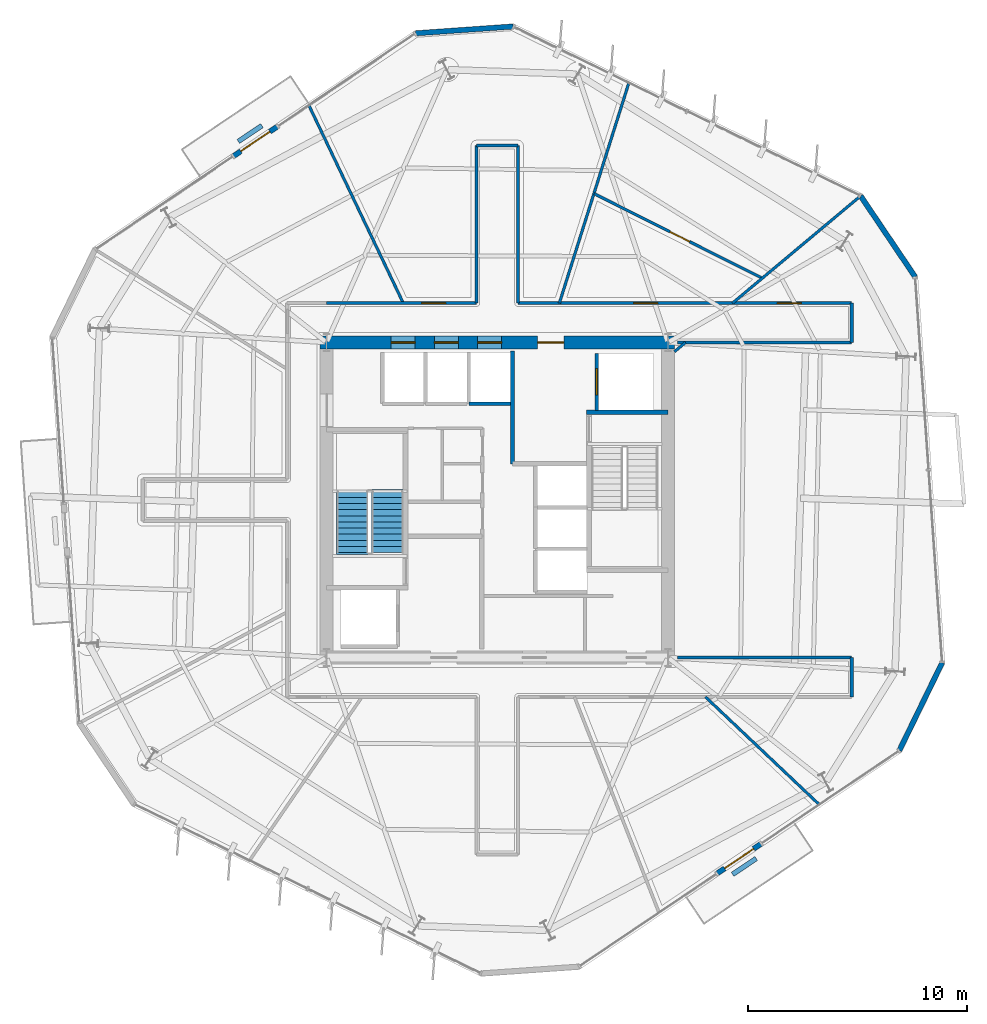
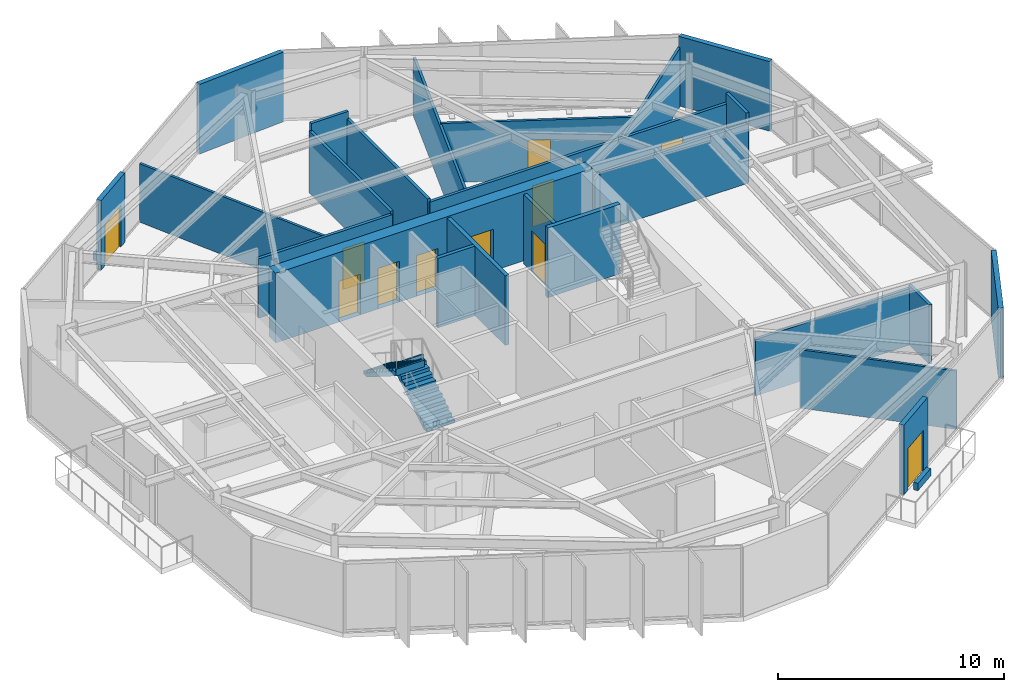
# One storey, part 8 of 14: 27 walls, 11 doors, 2 stair flights, 11 openings, 1 element without a shape of its own.
"""IFC4 building model written with IfcOpenShell, lengths in metres."""

from ifc_helpers import new_model, si_unit, direction, frame, frame_2d, origin, place, context, subcontext, project, spatial, polyline, rectangle, outline, extrude, material, layer, layer_set, type_object, element, fill, aggregate, save


model = new_model("IFC4")

# Units and contexts
model_context = context("Model", 3, precision=1e-05, world=origin(), true_north=direction((0.0, 1.0)))
body_context = subcontext(model_context, "Body", "Model", "MODEL_VIEW")
ifc_project = project(units=[si_unit("LENGTHUNIT", "METRE"), si_unit("AREAUNIT", "SQUARE_METRE"), si_unit("VOLUMEUNIT", "CUBIC_METRE"), si_unit("PLANEANGLEUNIT", "RADIAN"), si_unit("MASSUNIT", "GRAM", prefix="KILO")], contexts=[model_context])

# Site, building, storey
site_placement = place(None, origin())
site = spatial("IfcSite", under=ifc_project, at=site_placement, CompositionType="ELEMENT")
building_placement = place(site_placement, origin())
building = spatial("IfcBuilding", under=site, at=building_placement, Name="Kranzbogen Civic Tower", CompositionType="ELEMENT")
storey_placement = place(building_placement, frame((0.0, 0.0, 158.39990234375)))
storey = spatial("IfcBuildingStorey", under=building, at=storey_placement, Name="L38", CompositionType="ELEMENT", Elevation=158.39990234375)

# Wall, opening, door
ifc_material_1 = material(Name="Double-Stud Acoustic Gypsum Partition")
ifc_layer_1 = layer(ifc_material_1, 0.14990234375, Name="Double-Stud Acoustic Gypsum Partition")
ifc_layer_set_1 = layer_set([ifc_layer_1], Name="Double-Stud Acoustic Gypsum Partition")
wall_type_1 = type_object("IfcWallType", Name="Acoustic Corridor and Clinical Partition 150 mm", PredefinedType="PARTITIONING", material=ifc_layer_set_1)
wall_1_placement = place(storey_placement, frame((17.199951171875, 34.0, 0.0), z_axis=(0.0, 0.0, 1.0), x_axis=(1.0, 0.0, 0.0)))
wall_1 = element("IfcWall", 1, at=wall_1_placement, inside=storey, type_object=wall_type_1, Name="L38 corridor partition 10", PredefinedType="PARTITIONING", context=body_context, shape_type="SweptSolid", body=[
    extrude(rectangle(XDim=6.85009765625, YDim=0.14990234375, at=frame_2d((3.425048828125, 0.0))), origin(), (0.0, 0.0, 1.0), 3.210205078125),
])
opening_1_placement = place(wall_1_placement, frame((4.339111328125, 0.0, 0.0)))
opening_1 = element("IfcOpeningElement", 2, at=opening_1_placement, cuts=wall_1, Name="Opening D-COR60", PredefinedType="OPENING", context=body_context, shape_type="SweptSolid", body=[
    extrude(rectangle(XDim=1.10009765625, YDim=2.199951171875, at=frame_2d((0.550048828125, 1.10009765625))), frame((0.0, 0.0849609375, 0.0), z_axis=(0.0, -1.0, 0.0), x_axis=(1.0, 0.0, 0.0)), (0.0, 0.0, 1.0), 0.169921875),
])
ifc_material_2 = material(Name="Oak Timber and Fire Core", Category="wood")
door_type_1 = type_object("IfcDoorType", Name="Corridor Acoustic Fire Door 1100x2200", OperationType="NOTDEFINED", PredefinedType="DOOR", material=ifc_material_2)
door_1_placement = place(opening_1_placement, origin())
door_1 = element("IfcDoor", 3, at=door_1_placement, inside=storey, type_object=door_type_1, Name="L38 Civic Reference Library door", OperationType="SINGLE_SWING_LEFT", OverallHeight=2.199951171875, OverallWidth=1.10009765625, PredefinedType="DOOR", context=body_context, shape_type="SweptSolid", body=[
    extrude(rectangle(XDim=1.10009765625, YDim=2.199951171875, at=frame_2d((0.550048828125, 1.10009765625))), frame((0.0, 0.02490234375, 0.0), z_axis=(0.0, -1.0, 0.0), x_axis=(1.0, 0.0, 0.0)), (0.0, 0.0, 1.0), 0.050048828125),
])
fill(opening_1, door_1)

# Walls
wall_2_placement = place(storey_placement, frame((24.050048828125, 34.0, 0.0), z_axis=(0.0, 0.0, 1.0), x_axis=(0.0, 1.0, 0.0)))
element("IfcWall", 4, at=wall_2_placement, inside=storey, type_object=wall_type_1, Name="L38 corridor partition 11", PredefinedType="PARTITIONING", context=body_context, shape_type="SweptSolid", body=[
    extrude(rectangle(XDim=7.199951171875, YDim=0.14990234375, at=frame_2d((3.60009765625, 0.0))), origin(), (0.0, 0.0, 1.0), 3.360107421875),
])
wall_3_placement = place(storey_placement, frame((24.050048828125, 41.199951171875, 0.0), z_axis=(0.0, 0.0, 1.0), x_axis=(1.0, 0.0, 0.0)))
element("IfcWall", 5, at=wall_3_placement, inside=storey, type_object=wall_type_1, Name="L38 corridor partition 12", PredefinedType="PARTITIONING", context=body_context, shape_type="SweptSolid", body=[
    extrude(rectangle(XDim=1.89990234375, YDim=0.14990234375, at=frame_2d((0.949951171875, 0.0))), origin(), (0.0, 0.0, 1.0), 3.760009765625),
])
wall_4_placement = place(storey_placement, frame((25.949951171875, 41.199951171875, 0.0), z_axis=(0.0, 0.0, 1.0), x_axis=(0.0, -1.0, 0.0)))
element("IfcWall", 6, at=wall_4_placement, inside=storey, type_object=wall_type_1, Name="L38 corridor partition 13", PredefinedType="PARTITIONING", context=body_context, shape_type="SweptSolid", body=[
    extrude(rectangle(XDim=7.199951171875, YDim=0.14990234375, at=frame_2d((3.60009765625, 0.0))), origin(), (0.0, 0.0, 1.0), 3.360107421875),
])

# Wall, openings, doors
wall_5_placement = place(storey_placement, frame((25.949951171875, 34.0, 0.0), z_axis=(0.0, 0.0, 1.0), x_axis=(1.0, 0.0, 0.0)))
wall_5 = element("IfcWall", 7, at=wall_5_placement, inside=storey, type_object=wall_type_1, Name="L38 corridor partition 14", PredefinedType="PARTITIONING", context=body_context, shape_type="SweptSolid", body=[
    extrude(rectangle(XDim=15.25, YDim=0.14990234375, at=frame_2d((7.625, 0.0))), origin(), (0.0, 0.0, 1.0), 3.210205078125),
])
opening_2_placement = place(wall_5_placement, frame((11.85107421875, 0.0, 0.0)))
opening_2 = element("IfcOpeningElement", 8, at=opening_2_placement, cuts=wall_5, Name="Opening D-COR60", PredefinedType="OPENING", context=body_context, shape_type="SweptSolid", body=[
    extrude(rectangle(XDim=1.10009765625, YDim=2.199951171875, at=frame_2d((0.550048828125, 1.10009765625))), frame((0.0, 0.0849609375, 0.0), z_axis=(0.0, -1.0, 0.0), x_axis=(1.0, 0.0, 0.0)), (0.0, 0.0, 1.0), 0.169921875),
])
opening_3_placement = place(wall_5_placement, frame((5.283935546875, 0.0, 0.0)))
opening_3 = element("IfcOpeningElement", 9, at=opening_3_placement, cuts=wall_5, Name="Opening D-COR60", PredefinedType="OPENING", context=body_context, shape_type="SweptSolid", body=[
    extrude(rectangle(XDim=1.10009765625, YDim=2.199951171875, at=frame_2d((0.550048828125, 1.10009765625))), frame((0.0, 0.0849609375, 0.0), z_axis=(0.0, -1.0, 0.0), x_axis=(1.0, 0.0, 0.0)), (0.0, 0.0, 1.0), 0.169921875),
])
door_2_placement = place(opening_2_placement, origin())
door_2 = element("IfcDoor", 10, at=door_2_placement, inside=storey, type_object=door_type_1, Name="L38 Citizen Services Kiosk door", OperationType="SINGLE_SWING_RIGHT", OverallHeight=2.199951171875, OverallWidth=1.10009765625, PredefinedType="DOOR", context=body_context, shape_type="SweptSolid", body=[
    extrude(rectangle(XDim=1.10009765625, YDim=2.199951171875, at=frame_2d((0.550048828125, 1.10009765625))), frame((0.0, 0.02490234375, 0.0), z_axis=(0.0, -1.0, 0.0), x_axis=(1.0, 0.0, 0.0)), (0.0, 0.0, 1.0), 0.050048828125),
])
fill(opening_2, door_2)
door_3_placement = place(opening_3_placement, origin())
door_3 = element("IfcDoor", 11, at=door_3_placement, inside=storey, type_object=door_type_1, Name="L38 Municipal Exhibition Showroom door", OperationType="SINGLE_SWING_LEFT", OverallHeight=2.199951171875, OverallWidth=1.10009765625, PredefinedType="DOOR", context=body_context, shape_type="SweptSolid", body=[
    extrude(rectangle(XDim=1.10009765625, YDim=2.199951171875, at=frame_2d((0.550048828125, 1.10009765625))), frame((0.0, 0.02490234375, 0.0), z_axis=(0.0, -1.0, 0.0), x_axis=(1.0, 0.0, 0.0)), (0.0, 0.0, 1.0), 0.050048828125),
])
fill(opening_3, door_3)

# Walls
wall_6_placement = place(storey_placement, frame((41.199951171875, 34.0, 0.0), z_axis=(0.0, 0.0, 1.0), x_axis=(0.0, -1.0, 0.0)))
element("IfcWall", 12, at=wall_6_placement, inside=storey, type_object=wall_type_1, Name="L38 corridor partition 15", PredefinedType="PARTITIONING", context=body_context, shape_type="SweptSolid", body=[
    extrude(rectangle(XDim=1.800048828125, YDim=0.14990234375, at=frame_2d((0.89990234375, 0.0))), origin(), (0.0, 0.0, 1.0), 3.760009765625),
])
wall_7_placement = place(storey_placement, frame((41.199951171875, 32.199951171875, 0.0), z_axis=(0.0, 0.0, 1.0), x_axis=(-1.0, 0.0, 0.0)))
element("IfcWall", 13, at=wall_7_placement, inside=storey, type_object=wall_type_1, Name="L38 corridor partition 16", PredefinedType="PARTITIONING", context=body_context, shape_type="SweptSolid", body=[
    extrude(rectangle(XDim=7.952880859375, YDim=0.14990234375, at=frame_2d((3.9765625, 0.0))), origin(), (0.0, 0.0, 1.0), 3.210205078125),
])
wall_8_placement = place(storey_placement, frame((33.2470703125, 17.800048828125, 0.0), z_axis=(0.0, 0.0, 1.0), x_axis=(1.0, 0.0, 0.0)))
element("IfcWall", 14, at=wall_8_placement, inside=storey, type_object=wall_type_1, Name="L38 corridor partition 17", PredefinedType="PARTITIONING", context=body_context, shape_type="SweptSolid", body=[
    extrude(rectangle(XDim=7.952880859375, YDim=0.14990234375, at=frame_2d((3.9765625, 0.0))), origin(), (0.0, 0.0, 1.0), 3.050048828125),
])
wall_9_placement = place(storey_placement, frame((41.199951171875, 17.800048828125, 0.0), z_axis=(0.0, 0.0, 1.0), x_axis=(0.0, -1.0, 0.0)))
element("IfcWall", 15, at=wall_9_placement, inside=storey, type_object=wall_type_1, Name="L38 corridor partition 18", PredefinedType="PARTITIONING", context=body_context, shape_type="SweptSolid", body=[
    extrude(rectangle(XDim=1.800048828125, YDim=0.14990234375, at=frame_2d((0.89990234375, 0.0))), origin(), (0.0, 0.0, 1.0), 3.210205078125),
])
ifc_material_3 = material(Name="Insulated Metal-Stud Gypsum Partition")
ifc_layer_2 = layer(ifc_material_3, 0.125, Name="Insulated Metal-Stud Gypsum Partition")
ifc_layer_set_2 = layer_set([ifc_layer_2], Name="Insulated Metal-Stud Gypsum Partition")
wall_type_2 = type_object("IfcWallType", Name="Acoustic Inter-Room Partition 125 mm", PredefinedType="PARTITIONING", material=ifc_layer_set_2)
wall_10_placement = place(storey_placement, frame((33.10009765625, 31.779052734375, 0.0), z_axis=(0.0, 0.0, 1.0), x_axis=(0.76748927859, 0.641061781148, 0.0)))
element("IfcWall", 16, at=wall_10_placement, inside=storey, type_object=wall_type_2, Name="L38 radial room partition 01", PredefinedType="PARTITIONING", context=body_context, shape_type="SweptSolid", body=[
    extrude(rectangle(XDim=0.656494140625, YDim=0.125, at=frame_2d((0.328125, 0.0))), origin(), (0.0, 0.0, 1.0), 3.210205078125),
])
wall_11_placement = place(storey_placement, frame((35.7548828125, 34.0, 0.0), z_axis=(0.0, 0.0, 1.0), x_axis=(0.766871091206, 0.641801160386, 0.0)))
element("IfcWall", 17, at=wall_11_placement, inside=storey, type_object=wall_type_2, Name="L38 radial room partition 02", PredefinedType="PARTITIONING", context=body_context, shape_type="SweptSolid", body=[
    extrude(rectangle(XDim=7.613037109375, YDim=0.125, at=frame_2d((3.806640625, 0.0))), origin(), (0.0, 0.0, 1.0), 3.16015625),
])
wall_12_placement = place(storey_placement, frame((27.840087890625, 34.0, 0.0), z_axis=(0.0, 0.0, 1.0), x_axis=(0.300858550785, 0.953668775005, 0.0)))
element("IfcWall", 18, at=wall_12_placement, inside=storey, type_object=wall_type_2, Name="L38 radial room partition 03", PredefinedType="PARTITIONING", context=body_context, shape_type="SweptSolid", body=[
    extrude(rectangle(XDim=10.5361328125, YDim=0.125, at=frame_2d((5.26806640625, 0.0))), origin(), (0.0, 0.0, 1.0), 3.16015625),
])
wall_13_placement = place(storey_placement, frame((20.705078125, 34.0, 0.0), z_axis=(0.0, 0.0, 1.0), x_axis=(-0.430753986645, 0.902469391719, 0.0)))
element("IfcWall", 19, at=wall_13_placement, inside=storey, type_object=wall_type_2, Name="L38 radial room partition 04", PredefinedType="PARTITIONING", context=body_context, shape_type="SweptSolid", body=[
    extrude(rectangle(XDim=10.001220703125, YDim=0.125, at=frame_2d((5.00048828125, 0.0))), origin(), (0.0, 0.0, 1.0), 3.16015625),
])
wall_14_placement = place(storey_placement, frame((34.514892578125, 16.0, 0.0), z_axis=(0.0, 0.0, 1.0), x_axis=(0.726513595086, -0.687152090992, 0.0)))
element("IfcWall", 20, at=wall_14_placement, inside=storey, type_object=wall_type_2, Name="L38 radial room partition 09", PredefinedType="PARTITIONING", context=body_context, shape_type="SweptSolid", body=[
    extrude(rectangle(XDim=7.145263671875, YDim=0.125, at=frame_2d((3.57275390625, 0.0))), origin(), (0.0, 0.0, 1.0), 3.16015625),
])

# Wall, opening, door
wall_15_placement = place(storey_placement, frame((37.10009765625, 35.14501953125, 0.0), z_axis=(0.0, 0.0, 1.0), x_axis=(-0.893377857621, 0.449306135628, 0.0)))
wall_15 = element("IfcWall", 21, at=wall_15_placement, inside=storey, type_object=wall_type_2, Name="L38 suite chord partition 01", PredefinedType="PARTITIONING", context=body_context, shape_type="SweptSolid", body=[
    extrude(rectangle(XDim=8.58203125, YDim=0.125, at=frame_2d((4.291015625, 0.0))), origin(), (0.0, 0.0, 1.0), 3.210205078125),
])
opening_4_placement = place(wall_15_placement, frame((3.701904296875, 0.0, 0.0)))
opening_4 = element("IfcOpeningElement", 22, at=opening_4_placement, cuts=wall_15, Name="Opening D-OFC10", PredefinedType="OPENING", context=body_context, shape_type="SweptSolid", body=[
    extrude(rectangle(XDim=1.0, YDim=2.14990234375, at=frame_2d((0.5, 1.074951171875))), frame((0.0, 0.072509765625, 0.0), z_axis=(0.0, -1.0, 0.0), x_axis=(1.0, 0.0, 0.0)), (0.0, 0.0, 1.0), 0.14501953125),
])
ifc_material_4 = material(Name="Oak Timber Veneer", Category="wood")
door_type_2 = type_object("IfcDoorType", Name="Standard Office Acoustic Door 1000x2150", OperationType="NOTDEFINED", PredefinedType="DOOR", material=ifc_material_4)
door_4_placement = place(opening_4_placement, origin())
door_4 = element("IfcDoor", 23, at=door_4_placement, inside=storey, type_object=door_type_2, Name="L38 Licensing Information Kiosk door", OperationType="SINGLE_SWING_RIGHT", OverallHeight=2.14990234375, OverallWidth=1.0, PredefinedType="DOOR", context=body_context, shape_type="SweptSolid", body=[
    extrude(rectangle(XDim=1.0, YDim=2.14990234375, at=frame_2d((0.5, 1.074951171875))), frame((0.0, 0.02490234375, 0.0), z_axis=(0.0, -1.0, 0.0), x_axis=(1.0, 0.0, 0.0)), (0.0, 0.0, 1.0), 0.050048828125),
])
fill(opening_4, door_4)

# Walls
ifc_material_5 = material(Name="Architectural Precast Terracotta Concrete C40/50", Category="masonry")
ifc_layer_3 = layer(ifc_material_5, 0.219970703125, Name="Architectural Precast Terracotta Concrete C40/50")
ifc_layer_set_3 = layer_set([ifc_layer_3], Name="Architectural Precast Terracotta Concrete C40/50")
wall_type_3 = type_object("IfcWallType", Name="Architectural Tree Planter Kerb Wall 220 mm", PredefinedType="USERDEFINED", material=ifc_layer_set_3)
for number, where, z_axis, x_axis, name in (
    (24, (35.759033203125, 7.886962890625, 0.0), (0.0, 0.0, 1.0), (0.82938185828, 0.558682139643, 0.0), "L38 landscaped tree balcony planter L38-TB1"),
    (25, (14.240966796875, 42.113037109375, 0.0), (0.0, 0.0, 1.0), (-0.82938185828, -0.558682139643, 0.0), "L38 landscaped tree balcony planter L38-TB2"),
):
    element("IfcWall", number, at=place(storey_placement, frame(where, z_axis=z_axis, x_axis=x_axis)), inside=storey, type_object=wall_type_3, Name=name, ObjectType="PLANTER_WALL", PredefinedType="USERDEFINED", context=body_context, shape_type="SweptSolid", body=[
        extrude(rectangle(XDim=1.299560546875, YDim=0.219970703125, at=frame_2d((0.64990234375, 0.0))), origin(), (0.0, 0.0, 1.0), 0.400146484375),
    ])

# Wall, openings, doors
ifc_material_6 = material(Name="Concrete C55/67", Category="concrete")
ifc_layer_4 = layer(ifc_material_6, 0.60009765625, Name="Concrete C55/67")
ifc_layer_set_4 = layer_set([ifc_layer_4], Name="Concrete C55/67")
wall_type_4 = type_object("IfcWallType", Name="Central Core Shear Wall 600 mm", PredefinedType="SHEAR", material=ifc_layer_set_4)
wall_16_placement = place(storey_placement, frame((33.10009765625, 32.199951171875, 0.0), z_axis=(0.0, 0.0, 1.0), x_axis=(-1.0, 0.0, 0.0)))
wall_16 = element("IfcWall", 26, at=wall_16_placement, inside=storey, type_object=wall_type_4, Name="L38 central core North shear wall", PredefinedType="SHEAR", context=body_context, shape_type="SweptSolid", body=[
    extrude(rectangle(XDim=16.2001953125, YDim=0.60009765625, at=frame_2d((8.10009765625, 0.0))), origin(), (0.0, 0.0, 1.0), 3.760009765625),
])
opening_5_placement = place(wall_16_placement, frame((5.050048828125, 0.0, 0.0)))
opening_5 = element("IfcOpeningElement", 27, at=opening_5_placement, cuts=wall_16, Name="Opening D-EX120", PredefinedType="OPENING", context=body_context, shape_type="SweptSolid", body=[
    extrude(rectangle(XDim=1.199951171875, YDim=2.25, at=frame_2d((0.60009765625, 1.125))), frame((0.0, 0.31005859375, 0.0), z_axis=(0.0, -1.0, 0.0), x_axis=(1.0, 0.0, 0.0)), (0.0, 0.0, 1.0), 0.6201171875),
])
opening_6_placement = place(wall_16_placement, frame((11.85009765625, 0.0, 0.0)))
opening_6 = element("IfcOpeningElement", 28, at=opening_6_placement, cuts=wall_16, Name="Opening LD-MP-01", PredefinedType="OPENING", context=body_context, shape_type="SweptSolid", body=[
    extrude(rectangle(XDim=1.10009765625, YDim=2.199951171875, at=frame_2d((0.550048828125, 1.10009765625))), frame((0.0, 0.31005859375, 0.0), z_axis=(0.0, -1.0, 0.0), x_axis=(1.0, 0.0, 0.0)), (0.0, 0.0, 1.0), 0.6201171875),
])
opening_7_placement = place(wall_16_placement, frame((9.875, 0.0, 0.0)))
opening_7 = element("IfcOpeningElement", 29, at=opening_7_placement, cuts=wall_16, Name="Opening LD-MP-02", PredefinedType="OPENING", context=body_context, shape_type="SweptSolid", body=[
    extrude(rectangle(XDim=1.10009765625, YDim=2.199951171875, at=frame_2d((0.550048828125, 1.10009765625))), frame((0.0, 0.31005859375, 0.0), z_axis=(0.0, -1.0, 0.0), x_axis=(1.0, 0.0, 0.0)), (0.0, 0.0, 1.0), 0.6201171875),
])
opening_8_placement = place(wall_16_placement, frame((7.89990234375, 0.0, 0.0)))
opening_8 = element("IfcOpeningElement", 30, at=opening_8_placement, cuts=wall_16, Name="Opening LD-MP-03", PredefinedType="OPENING", context=body_context, shape_type="SweptSolid", body=[
    extrude(rectangle(XDim=1.10009765625, YDim=2.199951171875, at=frame_2d((0.550048828125, 1.10009765625))), frame((0.0, 0.31005859375, 0.0), z_axis=(0.0, -1.0, 0.0), x_axis=(1.0, 0.0, 0.0)), (0.0, 0.0, 1.0), 0.6201171875),
])
ifc_material_7 = material(Name="Steel S355", Category="steel")
door_type_3 = type_object("IfcDoorType", Name="Exit Passageway Fire Door 1200x2250", OperationType="NOTDEFINED", PredefinedType="DOOR", material=ifc_material_7)
door_5_placement = place(opening_5_placement, origin())
door_5 = element("IfcDoor", 31, at=door_5_placement, inside=storey, type_object=door_type_3, Name="L38 East firefighting lobby corridor door", OperationType="SINGLE_SWING_RIGHT", OverallHeight=2.25, OverallWidth=1.199951171875, PredefinedType="DOOR", context=body_context, shape_type="SweptSolid", body=[
    extrude(rectangle(XDim=1.199951171875, YDim=2.25, at=frame_2d((0.60009765625, 1.125))), frame((0.0, 0.02490234375, 0.0), z_axis=(0.0, -1.0, 0.0), x_axis=(1.0, 0.0, 0.0)), (0.0, 0.0, 1.0), 0.050048828125),
])
fill(opening_5, door_5)
ifc_material_8 = material(Name="Pale Anodised Aluminium", Category="aluminium")
door_type_4 = type_object("IfcDoorType", Name="Passenger Lift Sliding Landing Door 1100x2200", OperationType="DOUBLE_DOOR_SLIDING", PredefinedType="DOOR", material=ifc_material_8)
door_6_placement = place(opening_6_placement, origin())
door_6 = element("IfcDoor", 32, at=door_6_placement, inside=storey, type_object=door_type_4, Name="L38 lift MP-01 sliding landing door", OperationType="DOUBLE_DOOR_SLIDING", OverallHeight=2.199951171875, OverallWidth=1.10009765625, PredefinedType="DOOR", context=body_context, shape_type="SweptSolid", body=[
    extrude(rectangle(XDim=1.10009765625, YDim=2.199951171875, at=frame_2d((0.550048828125, 1.10009765625))), frame((0.0, 0.02490234375, 0.0), z_axis=(0.0, -1.0, 0.0), x_axis=(1.0, 0.0, 0.0)), (0.0, 0.0, 1.0), 0.050048828125),
])
fill(opening_6, door_6)
door_7_placement = place(opening_7_placement, origin())
door_7 = element("IfcDoor", 33, at=door_7_placement, inside=storey, type_object=door_type_4, Name="L38 lift MP-02 sliding landing door", OperationType="DOUBLE_DOOR_SLIDING", OverallHeight=2.199951171875, OverallWidth=1.10009765625, PredefinedType="DOOR", context=body_context, shape_type="SweptSolid", body=[
    extrude(rectangle(XDim=1.10009765625, YDim=2.199951171875, at=frame_2d((0.550048828125, 1.10009765625))), frame((0.0, 0.02490234375, 0.0), z_axis=(0.0, -1.0, 0.0), x_axis=(1.0, 0.0, 0.0)), (0.0, 0.0, 1.0), 0.050048828125),
])
fill(opening_7, door_7)
door_8_placement = place(opening_8_placement, origin())
door_8 = element("IfcDoor", 34, at=door_8_placement, inside=storey, type_object=door_type_4, Name="L38 lift MP-03 sliding landing door", OperationType="DOUBLE_DOOR_SLIDING", OverallHeight=2.199951171875, OverallWidth=1.10009765625, PredefinedType="DOOR", context=body_context, shape_type="SweptSolid", body=[
    extrude(rectangle(XDim=1.10009765625, YDim=2.199951171875, at=frame_2d((0.550048828125, 1.10009765625))), frame((0.0, 0.02490234375, 0.0), z_axis=(0.0, -1.0, 0.0), x_axis=(1.0, 0.0, 0.0)), (0.0, 0.0, 1.0), 0.050048828125),
])
fill(opening_8, door_8)

# Walls
ifc_material_9 = material(Name="Concrete C45/55", Category="concrete")
ifc_layer_5 = layer(ifc_material_9, 0.219970703125, Name="Concrete C45/55")
ifc_layer_set_5 = layer_set([ifc_layer_5], Name="Concrete C45/55")
wall_type_5 = type_object("IfcWallType", Name="Core Internal Stair Structural Wall 220 mm", PredefinedType="SOLIDWALL", material=ifc_layer_set_5)
wall_17_placement = place(storey_placement, frame((29.080078125, 29.010009765625, 0.0), z_axis=(0.0, 0.0, 1.0), x_axis=(1.0, 0.0, 0.0)))
element("IfcWall", 35, at=wall_17_placement, inside=storey, type_object=wall_type_5, Name="L38 ST-T2 North structural stair wall", PredefinedType="SOLIDWALL", context=body_context, shape_type="SweptSolid", body=[
    extrude(rectangle(XDim=3.719970703125, YDim=0.219970703125, at=frame_2d((1.85986328125, 0.0))), origin(), (0.0, 0.0, 1.0), 3.760009765625),
])
ifc_material_10 = material(Name="Gypsum Fireboard and Concrete Block", Category="concrete")
ifc_layer_6 = layer(ifc_material_10, 0.199951171875, Name="Gypsum Fireboard and Concrete Block")
ifc_layer_set_6 = layer_set([ifc_layer_6], Name="Gypsum Fireboard and Concrete Block")
wall_type_6 = type_object("IfcWallType", Name="Fire-Rated Exit Passageway and Stair Wall 200 mm", PredefinedType="PARTITIONING", material=ifc_layer_set_6)
wall_18_placement = place(storey_placement, frame((25.699951171875, 26.64990234375, 0.0), z_axis=(0.0, 0.0, 1.0), x_axis=(0.0, 1.0, 0.0)))
element("IfcWall", 36, at=wall_18_placement, inside=storey, type_object=wall_type_6, Name="L38 East firefighting lobby West wall", PredefinedType="PARTITIONING", context=body_context, shape_type="SweptSolid", body=[
    extrude(rectangle(XDim=5.150146484375, YDim=0.199951171875, at=frame_2d((2.5751953125, 0.0))), origin(), (0.0, 0.0, 1.0), 3.760009765625),
])
ifc_material_11 = material(Name="Gypsum Fireboard Shaftliner")
ifc_layer_7 = layer(ifc_material_11, 0.175048828125, Name="Gypsum Fireboard Shaftliner")
ifc_layer_set_7 = layer_set([ifc_layer_7], Name="Gypsum Fireboard Shaftliner")
wall_type_7 = type_object("IfcWallType", Name="Fire-Rated Lift and Service Shaft Wall 175 mm", PredefinedType="PARTITIONING", material=ifc_layer_set_7)
wall_19_placement = place(storey_placement, frame((23.699951171875, 29.39990234375, 0.0), z_axis=(0.0, 0.0, 1.0), x_axis=(1.0, 0.0, 0.0)))
element("IfcWall", 37, at=wall_19_placement, inside=storey, type_object=wall_type_7, Name="L38 lift MP-03 rear wall", PredefinedType="PARTITIONING", context=body_context, shape_type="SweptSolid", body=[
    extrude(rectangle(XDim=1.900146484375, YDim=0.175048828125, at=frame_2d((0.9501953125, 0.0))), origin(), (0.0, 0.0, 1.0), 3.760009765625),
])

# Wall, opening, door
wall_20_placement = place(storey_placement, frame((29.550048828125, 29.10009765625, 0.0), z_axis=(0.0, 0.0, 1.0), x_axis=(0.0, 1.0, 0.0)))
wall_20 = element("IfcWall", 38, at=wall_20_placement, inside=storey, type_object=wall_type_7, Name="L38 lift FF-02 landing wall", PredefinedType="PARTITIONING", context=body_context, shape_type="SweptSolid", body=[
    extrude(rectangle(XDim=2.599853515625, YDim=0.175048828125, at=frame_2d((1.2998046875, 0.0))), origin(), (0.0, 0.0, 1.0), 3.760009765625),
])
opening_9_placement = place(wall_20_placement, frame((0.699951171875, 0.0, 0.0)))
opening_9 = element("IfcOpeningElement", 39, at=opening_9_placement, cuts=wall_20, Name="Opening LD-FF-02", PredefinedType="OPENING", context=body_context, shape_type="SweptSolid", body=[
    extrude(rectangle(XDim=1.199951171875, YDim=2.199951171875, at=frame_2d((0.60009765625, 1.10009765625))), frame((0.0, 0.09765625, 0.0), z_axis=(0.0, -1.0, 0.0), x_axis=(1.0, 0.0, 0.0)), (0.0, 0.0, 1.0), 0.195068359375),
])
door_type_5 = type_object("IfcDoorType", Name="Firefighting and Stretcher Lift Sliding Landing Door 1200x2200", OperationType="DOUBLE_DOOR_SLIDING", PredefinedType="DOOR", material=ifc_material_8)
door_9_placement = place(opening_9_placement, origin())
door_9 = element("IfcDoor", 40, at=door_9_placement, inside=storey, type_object=door_type_5, Name="L38 lift FF-02 sliding landing door", OperationType="DOUBLE_DOOR_SLIDING", OverallHeight=2.199951171875, OverallWidth=1.199951171875, PredefinedType="DOOR", context=body_context, shape_type="SweptSolid", body=[
    extrude(rectangle(XDim=1.199951171875, YDim=2.199951171875, at=frame_2d((0.60009765625, 1.10009765625))), frame((0.0, 0.02490234375, 0.0), z_axis=(0.0, -1.0, 0.0), x_axis=(1.0, 0.0, 0.0)), (0.0, 0.0, 1.0), 0.050048828125),
])
fill(opening_9, door_9)

# Wall
ifc_layer_8 = layer(ifc_material_8, 0.239990234375, Name="Pale Anodised Aluminium")
ifc_layer_set_8 = layer_set([ifc_layer_8], Name="Pale Anodised Aluminium")
wall_type_8 = type_object("IfcWallType", Name="Insulated Aluminium Facade Portal Wall 240 mm", PredefinedType="STANDARD", material=ifc_layer_set_8)
wall_21_placement = place(storey_placement, frame((25.72705078125, 46.64404296875, 0.0), z_axis=(0.0, 0.0, 1.0), x_axis=(-0.997561857217, -0.069787828636, 0.0)))
element("IfcWall", 41, at=wall_21_placement, inside=storey, type_object=wall_type_8, Name="L38 chamfered corner facade spandrel 1", PredefinedType="STANDARD", context=body_context, shape_type="SweptSolid", body=[
    extrude(rectangle(XDim=4.470947265625, YDim=0.239990234375, at=frame_2d((2.2353515625, 0.0))), origin(), (0.0, 0.0, 1.0), 3.760009765625),
])

# Wall, opening, door
wall_22_placement = place(storey_placement, frame((14.93798828125, 42.06298828125, 0.0), z_axis=(0.0, 0.0, 1.0), x_axis=(-0.828953641959, -0.559317315558, 0.0)))
wall_22 = element("IfcWall", 42, at=wall_22_placement, inside=storey, type_object=wall_type_8, Name="L38 exterior entrance portal wall 1", PredefinedType="STANDARD", context=body_context, shape_type="SweptSolid", body=[
    extrude(rectangle(XDim=2.3994140625, YDim=0.239990234375, at=frame_2d((1.19970703125, 0.0))), origin(), (0.0, 0.0, 1.0), 3.760009765625),
])
opening_10_placement = place(wall_22_placement, frame((0.39990234375, 0.0, 0.0)))
opening_10 = element("IfcOpeningElement", 43, at=opening_10_placement, cuts=wall_22, Name="Opening D-TER", PredefinedType="OPENING", context=body_context, shape_type="SweptSolid", body=[
    extrude(rectangle(XDim=1.60009765625, YDim=2.25, at=frame_2d((0.800048828125, 1.125))), frame((0.0, 0.1298828125, 0.0), z_axis=(0.0, -1.0, 0.0), x_axis=(1.0, 0.0, 0.0)), (0.0, 0.0, 1.0), 0.260009765625),
])
ifc_material_12 = material(Name="Anodised Bronze and Triple Glass", Category="glass")
door_type_6 = type_object("IfcDoorType", Name="Glazed Terrace and Balcony Double Door 1600x2250", OperationType="DOUBLE_DOOR_SINGLE_SWING", PredefinedType="DOOR", material=ifc_material_12)
door_10_placement = place(opening_10_placement, frame((1.60009765625, 0.0, 0.0), z_axis=(0.0, 0.0, 1.0), x_axis=(-1.0, 0.0, 0.0)))
door_10 = element("IfcDoor", 44, at=door_10_placement, inside=storey, type_object=door_type_6, Name="L38 tree balcony access door L38-TB2", OperationType="DOUBLE_DOOR_SINGLE_SWING", OverallHeight=2.25, OverallWidth=1.60009765625, PredefinedType="DOOR", context=body_context, shape_type="SweptSolid", body=[
    extrude(rectangle(XDim=1.60009765625, YDim=2.25, at=frame_2d((0.800048828125, 1.125))), frame((0.0, 0.02490234375, 0.0), z_axis=(0.0, -1.0, 0.0), x_axis=(1.0, 0.0, 0.0)), (0.0, 0.0, 1.0), 0.050048828125),
])
fill(opening_10, door_10)

wall_23_placement = place(storey_placement, frame((35.06201171875, 7.93701171875, 0.0), z_axis=(0.0, 0.0, 1.0), x_axis=(0.828953641959, 0.559317315558, 0.0)))
wall_23 = element("IfcWall", 45, at=wall_23_placement, inside=storey, type_object=wall_type_8, Name="L38 exterior entrance portal wall 1", PredefinedType="STANDARD", context=body_context, shape_type="SweptSolid", body=[
    extrude(rectangle(XDim=2.3994140625, YDim=0.239990234375, at=frame_2d((1.19970703125, 0.0))), origin(), (0.0, 0.0, 1.0), 3.760009765625),
])
opening_11_placement = place(wall_23_placement, frame((0.39990234375, 0.0, 0.0)))
opening_11 = element("IfcOpeningElement", 46, at=opening_11_placement, cuts=wall_23, Name="Opening D-TER", PredefinedType="OPENING", context=body_context, shape_type="SweptSolid", body=[
    extrude(rectangle(XDim=1.60009765625, YDim=2.25, at=frame_2d((0.800048828125, 1.125))), frame((0.0, 0.1298828125, 0.0), z_axis=(0.0, -1.0, 0.0), x_axis=(1.0, 0.0, 0.0)), (0.0, 0.0, 1.0), 0.260009765625),
])
door_11_placement = place(opening_11_placement, frame((1.60009765625, 0.0, 0.0), z_axis=(0.0, 0.0, 1.0), x_axis=(-1.0, 0.0, 0.0)))
door_11 = element("IfcDoor", 47, at=door_11_placement, inside=storey, type_object=door_type_6, Name="L38 tree balcony access door L38-TB1", OperationType="DOUBLE_DOOR_SINGLE_SWING", OverallHeight=2.25, OverallWidth=1.60009765625, PredefinedType="DOOR", context=body_context, shape_type="SweptSolid", body=[
    extrude(rectangle(XDim=1.60009765625, YDim=2.25, at=frame_2d((0.800048828125, 1.125))), frame((0.0, 0.02490234375, 0.0), z_axis=(0.0, -1.0, 0.0), x_axis=(1.0, 0.0, 0.0)), (0.0, 0.0, 1.0), 0.050048828125),
])
fill(opening_11, door_11)

# Walls
wall_24_placement = place(storey_placement, frame((43.3798828125, 13.548095703125, 0.0), z_axis=(0.0, 0.0, 1.0), x_axis=(0.438566687479, 0.898698648399, 0.0)))
element("IfcWall", 48, at=wall_24_placement, inside=storey, type_object=wall_type_8, Name="L38 chamfered corner facade spandrel 5", PredefinedType="STANDARD", context=body_context, shape_type="SweptSolid", body=[
    extrude(rectangle(XDim=4.4716796875, YDim=0.239990234375, at=frame_2d((2.23583984375, 0.0))), origin(), (0.0, 0.0, 1.0), 3.760009765625),
])
wall_25_placement = place(storey_placement, frame((44.10693359375, 35.19189453125, 0.0), z_axis=(0.0, 0.0, 1.0), x_axis=(-0.559078804203, 0.82911452206, 0.0)))
element("IfcWall", 49, at=wall_25_placement, inside=storey, type_object=wall_type_8, Name="L38 chamfered corner facade spandrel 6", PredefinedType="STANDARD", context=body_context, shape_type="SweptSolid", body=[
    extrude(rectangle(XDim=4.469970703125, YDim=0.239990234375, at=frame_2d((2.23486328125, 0.0))), origin(), (0.0, 0.0, 1.0), 3.760009765625),
])

# Stair, stair flights
ifc_material_13 = material(Name="Precast concrete C40/50", Category="concrete")
stair_type = type_object("IfcStairType", Name="Tower Core Pressurized Dogleg Stair 1450", PredefinedType="HALF_TURN_STAIR", material=ifc_material_13)
stair_placement = place(storey_placement, origin())
stair = element("IfcStair", 50, at=stair_placement, inside=storey, type_object=stair_type, Name="L38 Tower Core Pressurized Stair 1", PredefinedType="HALF_TURN_STAIR")
stair_flight_type = type_object("IfcStairFlightType", Name="Precast Concrete Stair Flight R180", PredefinedType="STRAIGHT", material=ifc_material_13)
stair_flight_1_placement = place(storey_placement, frame((19.97509765625, 22.60009765625, 0.0), z_axis=(0.0, 0.0, 1.0), x_axis=(0.0, 1.0, 0.0)))
stair_flight_1 = element("IfcStairFlight", 51, at=stair_flight_1_placement, type_object=stair_flight_type, Name="ST-T1 flight 1", NumberOfRisers=11, NumberOfTreads=10, PredefinedType="STRAIGHT", RiserHeight=0.181818182, TreadLength=0.28, context=body_context, shape_type="SweptSolid", body=[
    extrude(outline(polyline([(0.0, 0.0), (0.0, 0.181884765625), (0.280029296875, 0.181884765625), (0.280029296875, 0.363525390625), (0.56005859375, 0.363525390625), (0.56005859375, 0.54541015625), (0.840087890625, 0.54541015625), (0.840087890625, 0.727294921875), (1.1201171875, 0.727294921875), (1.1201171875, 0.9091796875), (1.39990234375, 0.9091796875), (1.39990234375, 1.0908203125), (1.679931640625, 1.0908203125), (1.679931640625, 1.272705078125), (1.9599609375, 1.272705078125), (1.9599609375, 1.45458984375), (2.239990234375, 1.45458984375), (2.239990234375, 1.636474609375), (2.52001953125, 1.636474609375), (2.52001953125, 1.818115234375), (2.800048828125, 1.818115234375), (2.800048828125, 2.0), (2.880126953125, 2.0), (2.880126953125, 1.639404296875), (0.275146484375, 0.0), (0.0, 0.0)])), frame((0.0, 0.72509765625, 0.0), z_axis=(0.0, -1.0, 0.0), x_axis=(1.0, 0.0, 0.0)), (0.0, 0.0, 1.0), 1.449951171875),
])
stair_flight_2_placement = place(storey_placement, frame((18.375, 25.39990234375, 2.0), z_axis=(0.0, 0.0, 1.0), x_axis=(0.0, -1.0, 0.0)))
stair_flight_2 = element("IfcStairFlight", 52, at=stair_flight_2_placement, type_object=stair_flight_type, Name="ST-T1 flight 2", NumberOfRisers=11, NumberOfTreads=10, PredefinedType="STRAIGHT", RiserHeight=0.181818182, TreadLength=0.28, context=body_context, shape_type="SweptSolid", body=[
    extrude(outline(polyline([(0.0, 0.0), (0.0, 0.181884765625), (0.280029296875, 0.181884765625), (0.280029296875, 0.363525390625), (0.56005859375, 0.363525390625), (0.56005859375, 0.54541015625), (0.840087890625, 0.54541015625), (0.840087890625, 0.727294921875), (1.1201171875, 0.727294921875), (1.1201171875, 0.9091796875), (1.39990234375, 0.9091796875), (1.39990234375, 1.0908203125), (1.679931640625, 1.0908203125), (1.679931640625, 1.272705078125), (1.9599609375, 1.272705078125), (1.9599609375, 1.45458984375), (2.239990234375, 1.45458984375), (2.239990234375, 1.636474609375), (2.52001953125, 1.636474609375), (2.52001953125, 1.818115234375), (2.800048828125, 1.818115234375), (2.800048828125, 2.0), (2.880126953125, 2.0), (2.880126953125, 1.639404296875), (0.275146484375, 0.0), (0.0, 0.0)])), frame((0.0, 0.72509765625, 0.0), z_axis=(0.0, -1.0, 0.0), x_axis=(1.0, 0.0, 0.0)), (0.0, 0.0, 1.0), 1.449951171875),
])
aggregate(stair, [stair_flight_1, stair_flight_2])

save(model, "model.ifc")
